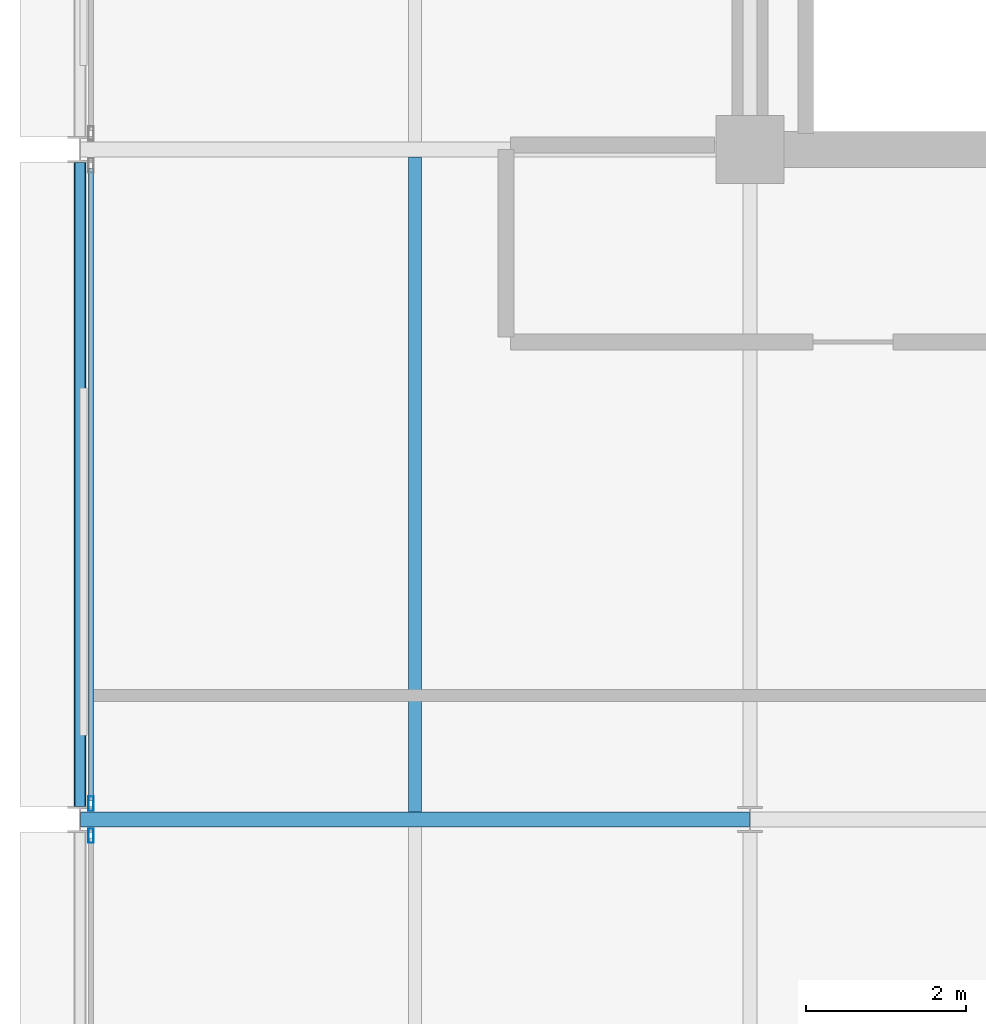
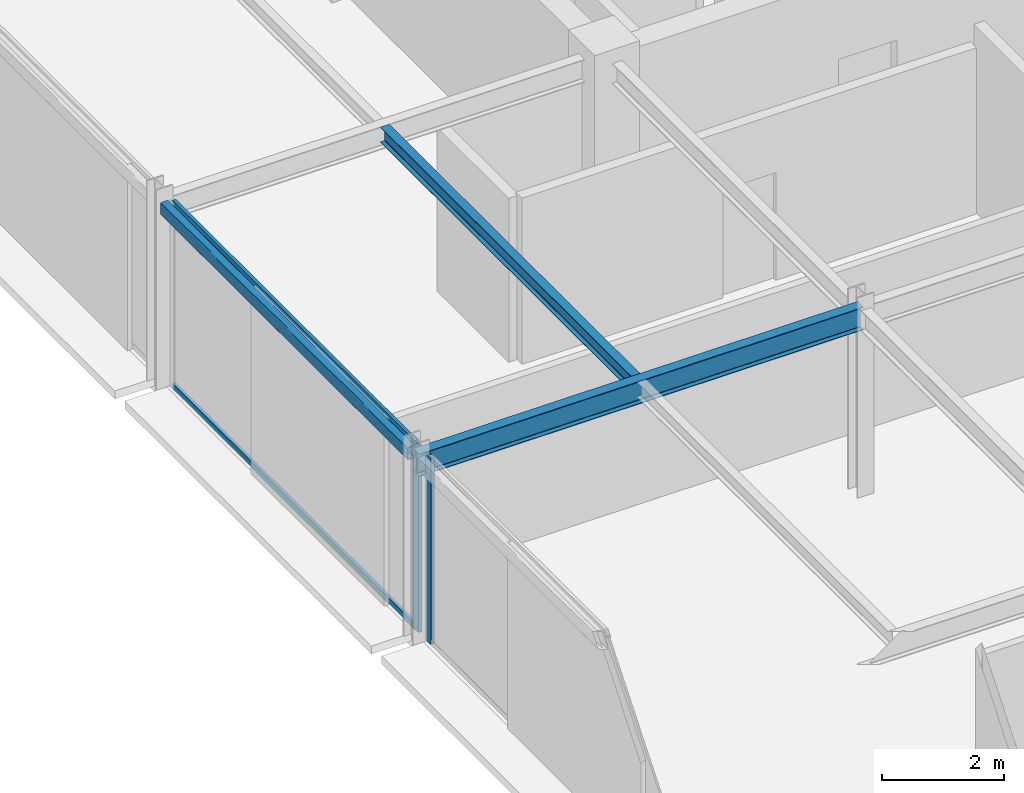
# One storey, part 9 of 27: 4 members, 3 beams, 2 elements without a shape of their own.
"""IFC4 building model written with IfcOpenShell, lengths in metres."""

from ifc_helpers import new_model, si_unit, direction, frame, origin, origin_2d, place, context, subcontext, project, spatial, hollow_rectangle, i_section, extrude, material, layer, layer_set, material_profile, profile_set, type_object, element, aggregate, save


model = new_model("IFC4")

# Units and contexts
model_context = context("Model", 3, precision=1e-05, world=origin(), true_north=direction((0.0, 1.0)))
body_context = subcontext(model_context, "Body", "Model", "MODEL_VIEW")
ifc_project = project(units=[si_unit("LENGTHUNIT", "METRE"), si_unit("AREAUNIT", "SQUARE_METRE"), si_unit("VOLUMEUNIT", "CUBIC_METRE"), si_unit("PLANEANGLEUNIT", "RADIAN"), si_unit("MASSUNIT", "GRAM", prefix="KILO")], contexts=[model_context])

# Site, building, storey
site_placement = place(None, origin())
site = spatial("IfcSite", under=ifc_project, at=site_placement, CompositionType="ELEMENT")
building_placement = place(site_placement, origin())
building = spatial("IfcBuilding", under=site, at=building_placement, Name="Nerrivon Quay Data Exchange", CompositionType="ELEMENT")
storey_placement = place(building_placement, frame((0.0, 0.0, 254.199951171875)))
storey = spatial("IfcBuildingStorey", under=building, at=storey_placement, Name="L60", CompositionType="ELEMENT", Elevation=254.199951171875)

# Beams
ifc_material_1 = material(Name="Steel Grade 350", Category="steel")
ifc_material_profile_1 = material_profile(ifc_material_1, i_section(OverallWidth=0.18994140625, OverallDepth=0.4541015625, WebThickness=0.008544921875, FlangeThickness=0.0126953125, FilletRadius=0.011474609375, at=origin_2d()), Name="460UB67.1")
ifc_profile_set_1 = profile_set([ifc_material_profile_1], Name="Steel Grade 350")
beam_type_1 = type_object("IfcBeamType", Name="BM-G6-460UB67", PredefinedType="BEAM", material=ifc_profile_set_1)
beam_1_placement = place(storey_placement, frame((0.0078125, 16.800048828125, 3.498046875), z_axis=(1.0, 0.0, 0.0), x_axis=(0.0, 1.0, 0.0)))
element("IfcBeam", 1, at=beam_1_placement, inside=storey, type_object=beam_type_1, Name="L60 EW Girder Y=16.8 (0.0..8.4)", PredefinedType="BEAM", context=body_context, shape_type="SweptSolid", body=[
    extrude(i_section(OverallWidth=0.18994140625, OverallDepth=0.4541015625, WebThickness=0.008544921875, FlangeThickness=0.0126953125, FilletRadius=0.011474609375, at=origin_2d()), origin(), (0.0, 0.0, 1.0), 8.38427734375),
])
ifc_material_profile_2 = material_profile(ifc_material_1, i_section(OverallWidth=0.1650390625, OverallDepth=0.303955078125, WebThickness=0.006103515625, FlangeThickness=0.01025390625, FilletRadius=0.011474609375, at=origin_2d()), Name="310UB40.4")
ifc_profile_set_2 = profile_set([ifc_material_profile_2], Name="Steel Grade 350")
beam_type_2 = type_object("IfcBeamType", Name="BM-J6-310UB40", PredefinedType="JOIST", material=ifc_profile_set_2)
beam_2_placement = place(storey_placement, frame((4.199951171875, 16.89501953125, 3.572998046875), z_axis=(0.0, 1.0, 0.0), x_axis=(-1.0, 0.0, 0.0)))
element("IfcBeam", 2, at=beam_2_placement, inside=storey, type_object=beam_type_2, Name="L60 Secondary Joist X=4.2 (16.8..25.2)", PredefinedType="JOIST", context=body_context, shape_type="SweptSolid", body=[
    extrude(i_section(OverallWidth=0.1650390625, OverallDepth=0.303955078125, WebThickness=0.006103515625, FlangeThickness=0.01025390625, FilletRadius=0.011474609375, at=origin_2d()), origin(), (0.0, 0.0, 1.0), 8.2099609375),
])
ifc_material_2 = material(Name="Steel Grade C350L0 (350 MPa)", Category="steel")
ifc_material_profile_3 = material_profile(ifc_material_2, hollow_rectangle(XDim=0.14990234375, YDim=0.25, WallThickness=0.009033203125, InnerFilletRadius=0.013427734375, OuterFilletRadius=0.0224609375, at=origin_2d()), Name="250x150x9.0RHS")
ifc_profile_set_3 = profile_set([ifc_material_profile_3], Name="Steel Grade C350L0 (350 MPa)")
beam_type_3 = type_object("IfcBeamType", Name="BM-SP4-250x150RHS", PredefinedType="SPANDREL", material=ifc_profile_set_3)
beam_3_placement = place(storey_placement, frame((0.0, 16.96337890625, 3.60009765625), z_axis=(0.0, 1.0, 0.0), x_axis=(-1.0, 0.0, 0.0)))
element("IfcBeam", 3, at=beam_3_placement, inside=storey, type_object=beam_type_3, Name="L60 NS Girder X=0.0 (16.8..25.2)", PredefinedType="SPANDREL", context=body_context, shape_type="SweptSolid", body=[
    extrude(hollow_rectangle(XDim=0.14990234375, YDim=0.25, WallThickness=0.009033203125, InnerFilletRadius=0.013427734375, OuterFilletRadius=0.0224609375, at=origin_2d()), origin(), (0.0, 0.0, 1.0), 8.0732421875),
])

# Curtain wall, member
ifc_material_3 = material(Name="Anodised aluminium 6063-T6", Category="aluminium")
ifc_layer = layer(ifc_material_3, 0.195068359375)
ifc_layer_set = layer_set([ifc_layer], Name="Anodised aluminium 6063-T6")
curtain_wall_type = type_object("IfcCurtainWallType", Name="CW-SYS-06", PredefinedType="NOTDEFINED", material=ifc_layer_set)
curtain_wall_1_placement = place(storey_placement, origin())
curtain_wall_1 = element("IfcCurtainWall", 4, at=curtain_wall_1_placement, inside=storey, type_object=curtain_wall_type, Name="L60 Unitised Curtain Wall 12", PredefinedType="NOTDEFINED")
ifc_material_profile_4 = material_profile(ifc_material_3, hollow_rectangle(XDim=0.06494140625, YDim=0.179931640625, WallThickness=0.00341796875, at=origin_2d()), Name="ALU-MULL-180x65")
ifc_profile_set_4 = profile_set([ifc_material_profile_4], Name="Anodised aluminium 6063-T6")
member_type_1 = type_object("IfcMemberType", Name="CWM-180x65", PredefinedType="MULLION", material=ifc_profile_set_4)
member_1_placement = place(storey_placement, frame((0.139892578125, 16.59912109375, 0.0), z_axis=(0.0, 0.0, 1.0), x_axis=(-1.0, 0.0, 0.0)))
member_1 = element("IfcMember", 5, at=member_1_placement, type_object=member_type_1, Name="CW06 mullion 2", PredefinedType="MULLION", context=body_context, shape_type="SweptSolid", body=[
    extrude(hollow_rectangle(XDim=0.06494140625, YDim=0.179931640625, WallThickness=0.00341796875, at=origin_2d()), origin(), (0.0, 0.0, 1.0), 3.72509765625),
])
aggregate(curtain_wall_1, [member_1])

# Curtain wall, members
curtain_wall_2_placement = place(storey_placement, origin())
curtain_wall_2 = element("IfcCurtainWall", 6, at=curtain_wall_2_placement, inside=storey, type_object=curtain_wall_type, Name="L60 Unitised Curtain Wall 13", PredefinedType="NOTDEFINED")
member_2_placement = place(storey_placement, frame((0.139892578125, 17.0009765625, 0.0), z_axis=(0.0, 0.0, 1.0), x_axis=(-1.0, 0.0, 0.0)))
member_2 = element("IfcMember", 7, at=member_2_placement, type_object=member_type_1, Name="CW06 mullion 1", PredefinedType="MULLION", context=body_context, shape_type="SweptSolid", body=[
    extrude(hollow_rectangle(XDim=0.06494140625, YDim=0.179931640625, WallThickness=0.00341796875, at=origin_2d()), origin(), (0.0, 0.0, 1.0), 3.72509765625),
])
ifc_material_profile_5 = material_profile(ifc_material_3, hollow_rectangle(XDim=0.06005859375, YDim=0.1201171875, WallThickness=0.003173828125, at=origin_2d()), Name="ALU-TRAN-120x60")
ifc_profile_set_5 = profile_set([ifc_material_profile_5], Name="Anodised aluminium 6063-T6")
member_type_2 = type_object("IfcMemberType", Name="CWT-120x60", PredefinedType="USERDEFINED", material=ifc_profile_set_5)
member_3_placement = place(storey_placement, frame((0.139892578125, 17.03857421875, 0.032470703125), z_axis=(0.0, 1.0, 0.0), x_axis=(-1.0, 0.0, 0.0)))
member_3 = element("IfcMember", 8, at=member_3_placement, type_object=member_type_2, Name="CW06 transom 1.1", ObjectType="TRANSOM", PredefinedType="USERDEFINED", context=body_context, shape_type="SweptSolid", body=[
    extrude(hollow_rectangle(XDim=0.06005859375, YDim=0.1201171875, WallThickness=0.003173828125, at=origin_2d()), origin(), (0.0, 0.0, 1.0), 7.9228515625),
])
member_4_placement = place(storey_placement, frame((0.139892578125, 17.03857421875, 3.692626953125), z_axis=(0.0, 1.0, 0.0), x_axis=(-1.0, 0.0, 0.0)))
member_4 = element("IfcMember", 9, at=member_4_placement, type_object=member_type_2, Name="CW06 transom 1.2", ObjectType="TRANSOM", PredefinedType="USERDEFINED", context=body_context, shape_type="SweptSolid", body=[
    extrude(hollow_rectangle(XDim=0.06005859375, YDim=0.1201171875, WallThickness=0.003173828125, at=origin_2d()), origin(), (0.0, 0.0, 1.0), 7.9228515625),
])
aggregate(curtain_wall_2, [member_2, member_3, member_4])

save(model, "model.ifc")
